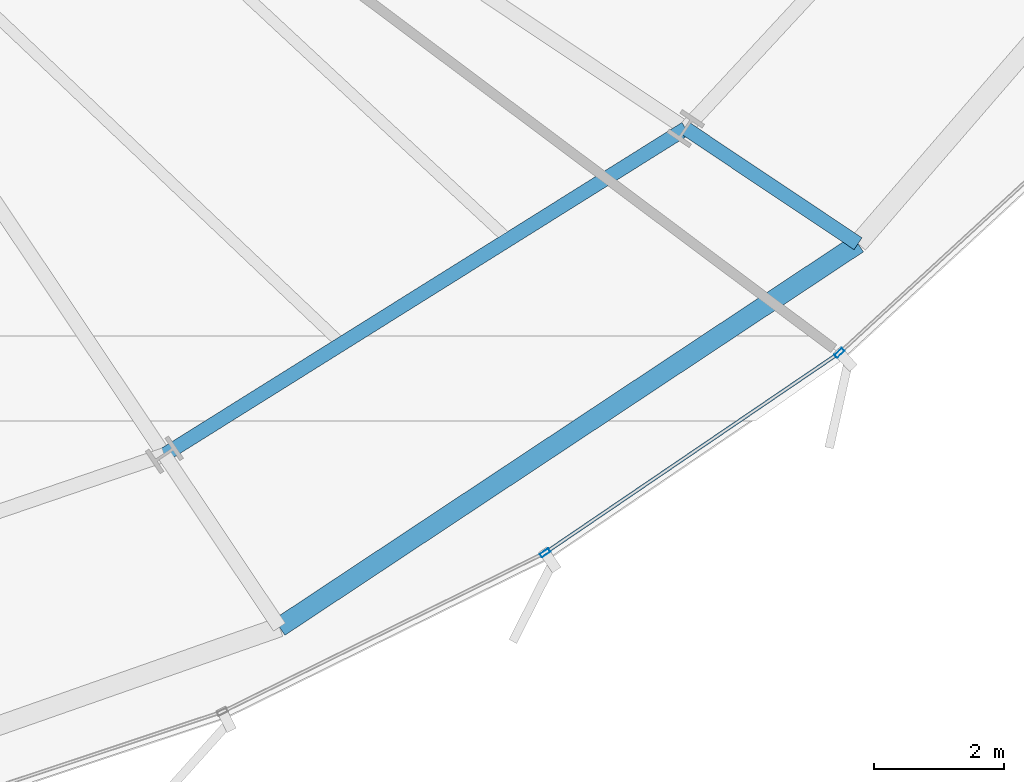
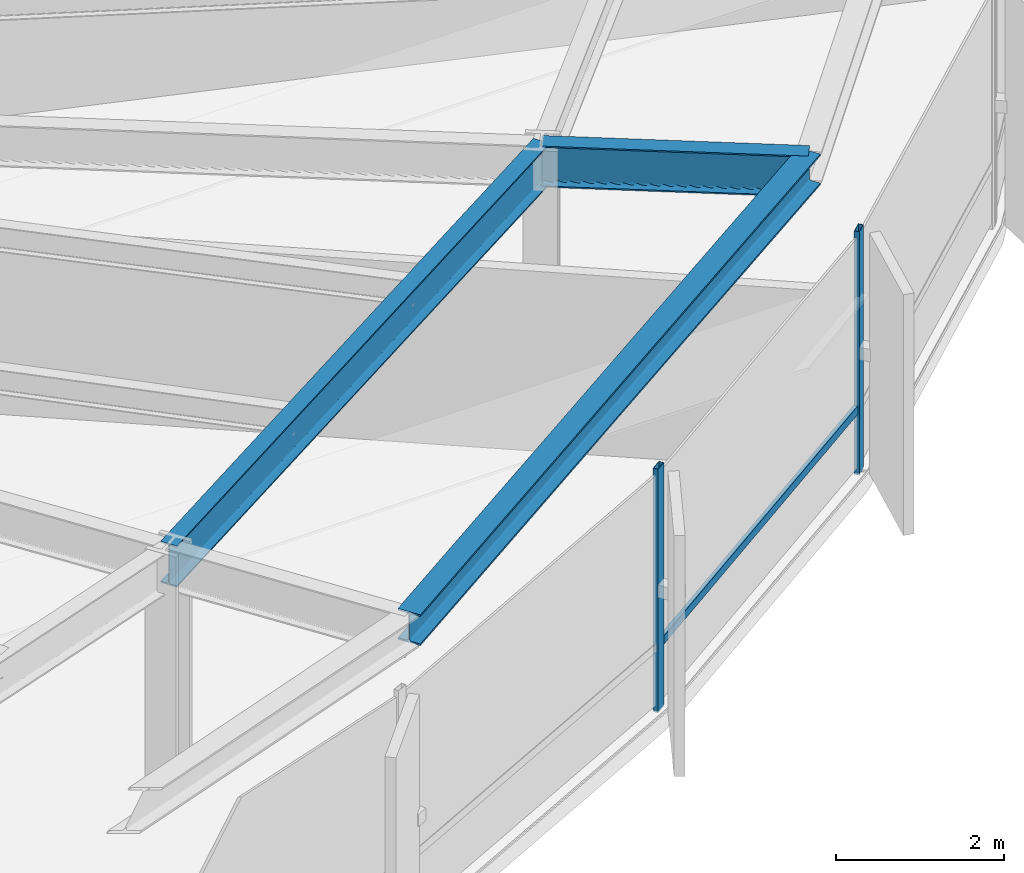
# One storey, part 13 of 37: 3 beams, 3 members, 1 element without a shape of its own.
"""IFC4 building model written with IfcOpenShell, lengths in metres."""

from ifc_helpers import new_model, si_unit, direction, frame, origin, origin_2d, place, context, subcontext, project, spatial, hollow_rectangle, i_section, extrude, source, transform, mapped, material, layer, layer_set, material_profile, profile_set, type_object, element, aggregate, save


model = new_model("IFC4")

# Units and contexts
model_context = context("Model", 3, precision=1e-05, world=origin(), true_north=direction((0.0, 1.0)))
body_context = subcontext(model_context, "Body", "Model", "MODEL_VIEW")
ifc_project = project(units=[si_unit("LENGTHUNIT", "METRE"), si_unit("AREAUNIT", "SQUARE_METRE"), si_unit("VOLUMEUNIT", "CUBIC_METRE"), si_unit("PLANEANGLEUNIT", "RADIAN"), si_unit("MASSUNIT", "GRAM", prefix="KILO"), si_unit("THERMODYNAMICTEMPERATUREUNIT", "KELVIN")], contexts=[model_context])

# Site, building, storey
site_placement = place(None, origin())
site = spatial("IfcSite", under=ifc_project, at=site_placement, CompositionType="ELEMENT")
building_placement = place(site_placement, origin())
building = spatial("IfcBuilding", under=site, at=building_placement, Name="Kethvar Cultural Tower", CompositionType="ELEMENT")
storey_placement = place(building_placement, frame((0.0, 0.0, 56.199951171875)))
storey = spatial("IfcBuildingStorey", under=building, at=storey_placement, Name="L13", CompositionType="ELEMENT", Elevation=56.199951171875)

# Beams
ifc_material_1 = material(Name="Steel S355J2", Category="steel")
ifc_material_profile_1 = material_profile(ifc_material_1, i_section(OverallWidth=0.219970703125, OverallDepth=0.60009765625, WebThickness=0.011962890625, FlangeThickness=0.01904296875, FilletRadius=0.02392578125, at=origin_2d()), Name="Steel S355J2 — IPE600")
ifc_profile_set_1 = profile_set([ifc_material_profile_1], Name="Steel S355J2 — IPE600")
beam_type_1 = type_object("IfcBeamType", Name="BM-IPE600", PredefinedType="BEAM", material=ifc_profile_set_1)
shared_shape_1 = source(origin(), body_context, "Body", "SweptSolid", [
    extrude(i_section(OverallWidth=0.219970703125, OverallDepth=0.60009765625, WebThickness=0.011962890625, FlangeThickness=0.01904296875, FilletRadius=0.02392578125, at=origin_2d()), origin(), (0.0, 0.0, 1.0), 3.19970703125),
])
beam_1_placement = place(storey_placement, frame((67.41845703125, 14.023193359375, 3.248046875), z_axis=(0.831498187863, -0.55552746429, 0.0), x_axis=(0.55552746429, 0.831498187863, 0.0)))
element("IfcBeam", 1, at=beam_1_placement, inside=storey, type_object=beam_type_1, Name="L13 Perimeter Cantilever Beam RC-15", PredefinedType="BEAM", context=body_context, shape_type="MappedRepresentation", body=[
    mapped(shared_shape_1, transform((0.0, 0.0, 0.0), scale=1.0)),
])
shared_shape_2 = source(origin(), body_context, "Body", "SweptSolid", [
    extrude(i_section(OverallWidth=0.219970703125, OverallDepth=0.60009765625, WebThickness=0.011962890625, FlangeThickness=0.01904296875, FilletRadius=0.02392578125, at=origin_2d()), origin(), (0.0, 0.0, 1.0), 9.493896484375),
])
beam_2_placement = place(storey_placement, frame((59.370361328125, 8.987060546875, 3.248046875), z_axis=(0.847710685997, 0.530458851228, 0.0), x_axis=(-0.530458851228, 0.847710685997, 0.0)))
element("IfcBeam", 2, at=beam_2_placement, inside=storey, type_object=beam_type_1, Name="L13 Column Ring Tie Beam CR-14", PredefinedType="BEAM", context=body_context, shape_type="MappedRepresentation", body=[
    mapped(shared_shape_2, transform((0.0, 0.0, 0.0), scale=1.0)),
])
ifc_material_profile_2 = material_profile(ifc_material_1, i_section(OverallWidth=0.300048828125, OverallDepth=0.449951171875, WebThickness=0.013916015625, FlangeThickness=0.02587890625, FilletRadius=0.027099609375, at=origin_2d()), Name="Steel S355J2 — HEB450")
ifc_profile_set_2 = profile_set([ifc_material_profile_2], Name="Steel S355J2 — HEB450")
beam_type_2 = type_object("IfcBeamType", Name="BM-SP450", PredefinedType="SPANDREL", material=ifc_profile_set_2)
shared_shape_3 = source(origin(), body_context, "Body", "SweptSolid", [
    extrude(i_section(OverallWidth=0.300048828125, OverallDepth=0.449951171875, WebThickness=0.013916015625, FlangeThickness=0.02587890625, FilletRadius=0.027099609375, at=origin_2d()), origin(), (0.0, 0.0, 1.0), 10.71435546875),
])
beam_3_placement = place(storey_placement, frame((61.148193359375, 6.326416015625, 3.322998046875), z_axis=(0.833544146731, 0.552452853599, 0.0), x_axis=(-0.552452853599, 0.833544146731, 0.0)))
element("IfcBeam", 3, at=beam_3_placement, inside=storey, type_object=beam_type_2, Name="L13 Perimeter Spandrel Beam SP-14", PredefinedType="SPANDREL", context=body_context, shape_type="MappedRepresentation", body=[
    mapped(shared_shape_3, transform((0.0, 0.0, 0.0), scale=1.0)),
])

# Curtain wall, members
ifc_material_2 = material(Name="Aluminium 6063-T6", Category="aluminium")
ifc_layer = layer(ifc_material_2, 0.179931640625, Name="Aluminium 6063-T6", Category="aluminium")
ifc_layer_set = layer_set([ifc_layer], Name="Aluminium 6063-T6 (180 mm)")
curtain_wall_type = type_object("IfcCurtainWallType", Name="CW-SYS-02-Z1", PredefinedType="NOTDEFINED", material=ifc_layer_set)
curtain_wall_placement = place(storey_placement, origin())
curtain_wall = element("IfcCurtainWall", 4, at=curtain_wall_placement, inside=storey, type_object=curtain_wall_type, Name="L13 Curtain Wall Run 06", PredefinedType="NOTDEFINED")
ifc_material_profile_3 = material_profile(ifc_material_2, hollow_rectangle(XDim=0.06494140625, YDim=0.159912109375, WallThickness=0.0048828125, at=origin_2d()), Name="Aluminium 6063-T6 — RHS160x65x5")
ifc_profile_set_3 = profile_set([ifc_material_profile_3], Name="Aluminium 6063-T6 — RHS160x65x5")
member_type_1 = type_object("IfcMemberType", Name="CW-SYS-02-Z1-MUL", PredefinedType="MULLION", material=ifc_profile_set_3)
shared_shape_4 = source(origin(), body_context, "Body", "SweptSolid", [
    extrude(hollow_rectangle(XDim=0.06494140625, YDim=0.159912109375, WallThickness=0.0048828125, at=origin_2d()), origin(), (0.0, 0.0, 1.0), 3.550048828125),
])
member_1_placement = place(storey_placement, frame((65.247802734375, 7.47412109375, 0.0), z_axis=(0.0, 0.0, 1.0), x_axis=(-0.562025635366, 0.827119813081, 0.0)))
member_1 = element("IfcMember", 5, at=member_1_placement, type_object=member_type_1, Name="CW-L13-R06 Mullion 5", PredefinedType="MULLION", context=body_context, shape_type="MappedRepresentation", body=[
    mapped(shared_shape_4, transform((0.0, 0.0, 0.0), scale=1.0)),
])
member_2_placement = place(storey_placement, frame((69.7919921875, 10.560302734375, 0.0), z_axis=(0.0, 0.0, 1.0), x_axis=(-0.677107187996, 0.735884403941, 0.0)))
member_2 = element("IfcMember", 6, at=member_2_placement, type_object=member_type_1, Name="CW-L13-R06 Mullion 6", PredefinedType="MULLION", context=body_context, shape_type="MappedRepresentation", body=[
    mapped(shared_shape_4, transform((0.0, 0.0, 0.0), scale=1.0)),
])
ifc_material_profile_4 = material_profile(ifc_material_2, hollow_rectangle(XDim=0.054931640625, YDim=0.1201171875, WallThickness=0.00390625, at=origin_2d()), Name="Aluminium 6063-T6 — RHS120x55x4")
ifc_profile_set_4 = profile_set([ifc_material_profile_4], Name="Aluminium 6063-T6 — RHS120x55x4")
member_type_2 = type_object("IfcMemberType", Name="CW-SYS-02-Z1-TRN", PredefinedType="USERDEFINED", material=ifc_profile_set_4)
shared_shape_5 = source(origin(), body_context, "Body", "SweptSolid", [
    extrude(hollow_rectangle(XDim=0.054931640625, YDim=0.1201171875, WallThickness=0.00390625, at=origin_2d()), origin(), (0.0, 0.0, 1.0), 5.4169921875),
])
member_3_placement = place(storey_placement, frame((65.28662109375, 7.50048828125, 0.949951171875), z_axis=(0.827101658061, 0.562052352751, 0.0), x_axis=(-0.562052352751, 0.827101658061, 0.0)))
member_3 = element("IfcMember", 7, at=member_3_placement, type_object=member_type_2, Name="CW-L13-R06 Transom 5", ObjectType="TRANSOM", PredefinedType="USERDEFINED", context=body_context, shape_type="MappedRepresentation", body=[
    mapped(shared_shape_5, transform((0.0, 0.0, 0.0), scale=1.0)),
])
aggregate(curtain_wall, [member_1, member_2, member_3])

save(model, "model.ifc")
